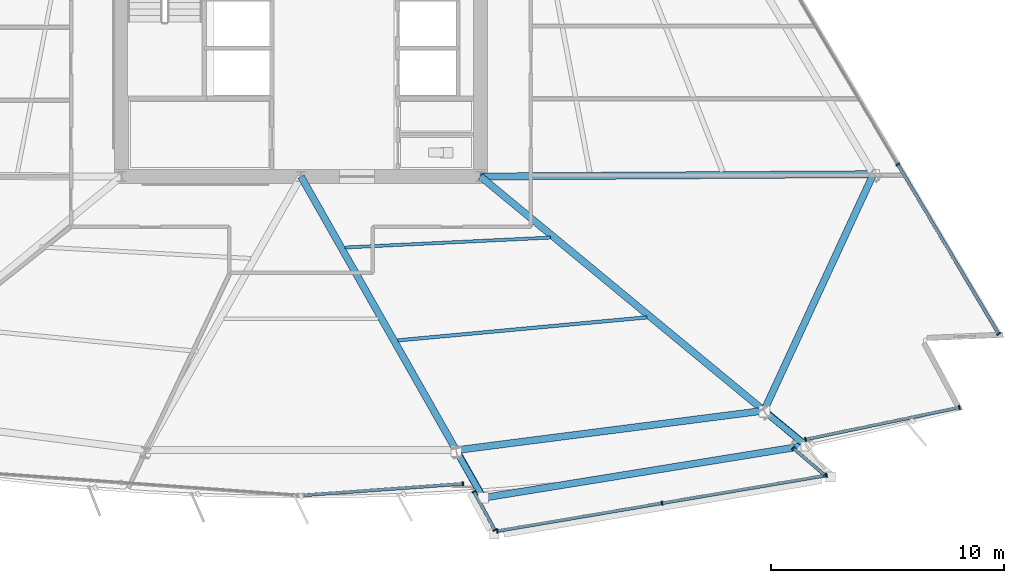
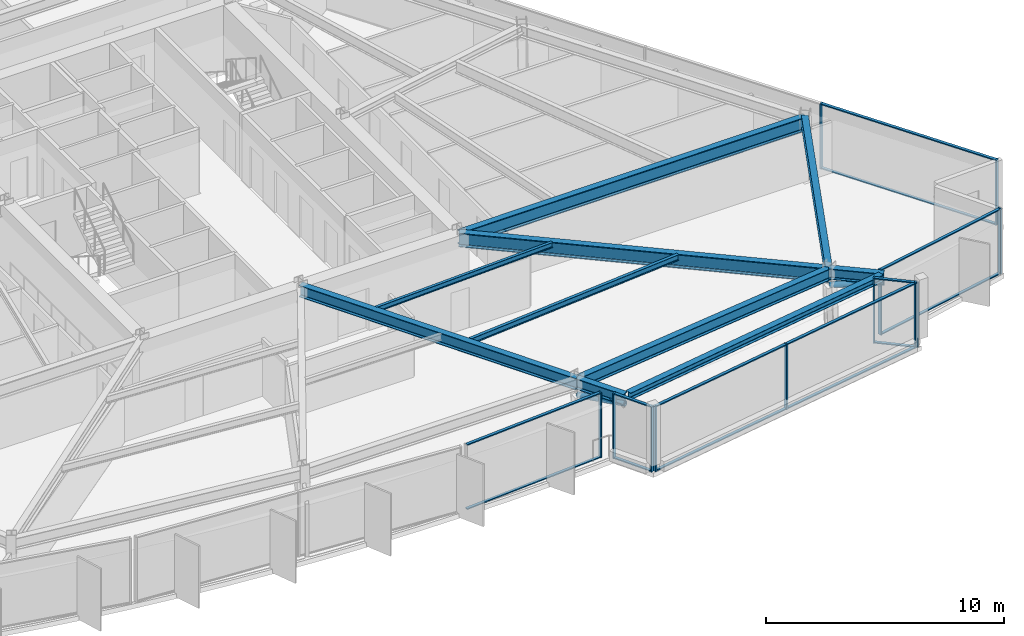
# One storey, part 5 of 18: 28 members, 10 beams, 6 elements without a shape of their own.
"""IFC4 building model written with IfcOpenShell, lengths in metres."""

from ifc_helpers import new_model, si_unit, direction, frame, origin, origin_2d, place, context, subcontext, project, spatial, rectangle, hollow_circle, i_section, extrude, material, material_profile, profile_set, type_object, element, aggregate, save


model = new_model("IFC4")

# Units and contexts
model_context = context("Model", 3, precision=1e-05, world=origin(), true_north=direction((0.0, 1.0)))
body_context = subcontext(model_context, "Body", "Model", "MODEL_VIEW")
ifc_project = project(units=[si_unit("LENGTHUNIT", "METRE"), si_unit("AREAUNIT", "SQUARE_METRE"), si_unit("VOLUMEUNIT", "CUBIC_METRE"), si_unit("PLANEANGLEUNIT", "RADIAN"), si_unit("MASSUNIT", "GRAM", prefix="KILO")], contexts=[model_context])

# Site, building, storey
site_placement = place(None, origin())
site = spatial("IfcSite", under=ifc_project, at=site_placement, CompositionType="ELEMENT")
building_placement = place(site_placement, origin())
building = spatial("IfcBuilding", under=site, at=building_placement, Name="Savorim Split Tower", CompositionType="ELEMENT")
storey_placement = place(building_placement, frame((0.0, 0.0, 48.0)))
storey = spatial("IfcBuildingStorey", under=building, at=storey_placement, Name="L12", CompositionType="ELEMENT", Elevation=48.0)

# Beams
ifc_material_1 = material(Name="Steel S355", Category="steel")
ifc_material_profile_1 = material_profile(ifc_material_1, i_section(OverallWidth=0.135009765625, OverallDepth=0.27001953125, WebThickness=0.006591796875, FlangeThickness=0.01025390625, FilletRadius=0.014892578125, at=origin_2d()), Name="IPE 270")
ifc_profile_set_1 = profile_set([ifc_material_profile_1], Name="Steel S355")
beam_type_1 = type_object("IfcBeamType", Name="BM-JST-IPE270", PredefinedType="JOIST", material=ifc_profile_set_1)
beam_1_placement = place(storey_placement, frame((1.890625, -12.4453125, 3.215087890625), z_axis=(0.998836109926, 0.048233033373, 0.0), x_axis=(-0.048233033373, 0.998836109926, 0.0)))
element("IfcBeam", 1, at=beam_1_placement, inside=storey, type_object=beam_type_1, Name="L12 Secondary Floor Joist JS-05", PredefinedType="JOIST", context=body_context, shape_type="SweptSolid", body=[
    extrude(i_section(OverallWidth=0.135009765625, OverallDepth=0.27001953125, WebThickness=0.006591796875, FlangeThickness=0.01025390625, FilletRadius=0.014892578125, at=origin_2d()), origin(), (0.0, 0.0, 1.0), 8.822509765625),
])
ifc_material_profile_2 = material_profile(ifc_material_1, i_section(OverallWidth=0.14990234375, OverallDepth=0.300048828125, WebThickness=0.007080078125, FlangeThickness=0.0107421875, FilletRadius=0.014892578125, at=origin_2d()), Name="IPE 300")
ifc_profile_set_2 = profile_set([ifc_material_profile_2], Name="Steel S355")
beam_type_2 = type_object("IfcBeamType", Name="BM-JST-IPE300", PredefinedType="JOIST", material=ifc_profile_set_2)
beam_2_placement = place(storey_placement, frame((4.15380859375, -16.430419921875, 3.199951171875), z_axis=(0.995752154101, 0.09207414188, 0.0), x_axis=(-0.09207414188, 0.995752154101, 0.0)))
element("IfcBeam", 2, at=beam_2_placement, inside=storey, type_object=beam_type_2, Name="L12 Secondary Floor Joist JS-04", PredefinedType="JOIST", context=body_context, shape_type="SweptSolid", body=[
    extrude(i_section(OverallWidth=0.14990234375, OverallDepth=0.300048828125, WebThickness=0.007080078125, FlangeThickness=0.0107421875, FilletRadius=0.014892578125, at=origin_2d()), origin(), (0.0, 0.0, 1.0), 10.73095703125),
])
ifc_material_profile_3 = material_profile(ifc_material_1, i_section(OverallWidth=0.300048828125, OverallDepth=0.550048828125, WebThickness=0.014892578125, FlangeThickness=0.029052734375, FilletRadius=0.027099609375, at=origin_2d()), Name="HEB 550")
ifc_profile_set_3 = profile_set([ifc_material_profile_3], Name="Steel S355")
beam_type_3 = type_object("IfcBeamType", Name="BM-PRI-HEB550", PredefinedType="BEAM", material=ifc_profile_set_3)
beam_3_placement = place(storey_placement, frame((6.657470703125, -21.141845703125, 3.074951171875), z_axis=(0.493193439661, -0.869919669323, 0.0), x_axis=(0.869919669323, 0.493193439661, 0.0)))
element("IfcBeam", 3, at=beam_3_placement, inside=storey, type_object=beam_type_3, Name="L12 Cantilevered Lounge Rib 1", PredefinedType="BEAM", context=body_context, shape_type="SweptSolid", body=[
    extrude(i_section(OverallWidth=0.300048828125, OverallDepth=0.550048828125, WebThickness=0.014892578125, FlangeThickness=0.029052734375, FilletRadius=0.027099609375, at=origin_2d()), origin(), (0.0, 0.0, 1.0), 2.349853515625),
])
beam_4_placement = place(storey_placement, frame((19.86376953125, -19.4462890625, 3.074951171875), z_axis=(0.771074851644, -0.636744511685, 0.0), x_axis=(0.636744511685, 0.771074851644, 0.0)))
element("IfcBeam", 4, at=beam_4_placement, inside=storey, type_object=beam_type_3, Name="L12 Cantilevered Lounge Rib 2", PredefinedType="BEAM", context=body_context, shape_type="SweptSolid", body=[
    extrude(i_section(OverallWidth=0.300048828125, OverallDepth=0.550048828125, WebThickness=0.014892578125, FlangeThickness=0.029052734375, FilletRadius=0.027099609375, at=origin_2d()), origin(), (0.0, 0.0, 1.0), 2.35009765625),
])
ifc_material_profile_4 = material_profile(ifc_material_1, i_section(OverallWidth=0.300048828125, OverallDepth=0.60009765625, WebThickness=0.015380859375, FlangeThickness=0.030029296875, FilletRadius=0.027099609375, at=origin_2d()), Name="HEB 600")
ifc_profile_set_4 = profile_set([ifc_material_profile_4], Name="Steel S355")
beam_type_4 = type_object("IfcBeamType", Name="BM-PRI-HEB600", PredefinedType="BEAM", material=ifc_profile_set_4)
beam_5_placement = place(storey_placement, frame((6.657470703125, -21.141845703125, 3.050048828125), z_axis=(-0.493220203401, 0.869904495308, 0.0), x_axis=(-0.869904495308, -0.493220203401, 0.0)))
element("IfcBeam", 5, at=beam_5_placement, inside=storey, type_object=beam_type_4, Name="L12 Primary Floor Girder RG-03", PredefinedType="BEAM", context=body_context, shape_type="SweptSolid", body=[
    extrude(i_section(OverallWidth=0.300048828125, OverallDepth=0.60009765625, WebThickness=0.015380859375, FlangeThickness=0.030029296875, FilletRadius=0.027099609375, at=origin_2d()), origin(), (0.0, 0.0, 1.0), 13.498046875),
])
ifc_material_2 = material(Name="Steel S460", Category="steel")
ifc_material_profile_5 = material_profile(ifc_material_2, i_section(OverallWidth=0.303955078125, OverallDepth=0.716064453125, WebThickness=0.02099609375, FlangeThickness=0.0400390625, FilletRadius=0.027099609375, at=origin_2d()), Name="HE 700 M")
ifc_profile_set_5 = profile_set([ifc_material_profile_5], Name="Steel S460")
beam_type_5 = type_object("IfcBeamType", Name="BM-PRI-HEM700", PredefinedType="BEAM", material=ifc_profile_set_5)
beam_6_placement = place(storey_placement, frame((19.86376953125, -19.4462890625, 2.991943359375), z_axis=(-0.771023527296, 0.636806658536, 0.0), x_axis=(-0.636806658536, -0.771023527296, 0.0)))
element("IfcBeam", 6, at=beam_6_placement, inside=storey, type_object=beam_type_5, Name="L12 Primary Floor Girder RG-04", PredefinedType="BEAM", context=body_context, shape_type="SweptSolid", body=[
    extrude(i_section(OverallWidth=0.303955078125, OverallDepth=0.716064453125, WebThickness=0.02099609375, FlangeThickness=0.0400390625, FilletRadius=0.027099609375, at=origin_2d()), origin(), (0.0, 0.0, 1.0), 15.776123046875),
])
beam_7_placement = place(storey_placement, frame((24.554931640625, -9.300048828125, 2.991943359375), z_axis=(-0.999982451953, -0.005924169629, 0.0), x_axis=(0.005924169629, -0.999982451953, 0.0)))
element("IfcBeam", 7, at=beam_7_placement, inside=storey, type_object=beam_type_5, Name="L12 Primary Floor Girder RG-05", PredefinedType="BEAM", context=body_context, shape_type="SweptSolid", body=[
    extrude(i_section(OverallWidth=0.303955078125, OverallDepth=0.716064453125, WebThickness=0.02099609375, FlangeThickness=0.0400390625, FilletRadius=0.027099609375, at=origin_2d()), origin(), (0.0, 0.0, 1.0), 16.855224609375),
])
ifc_material_profile_6 = material_profile(ifc_material_1, i_section(OverallWidth=0.300048828125, OverallDepth=0.35009765625, WebThickness=0.010009765625, FlangeThickness=0.017578125, FilletRadius=0.027099609375, at=origin_2d()), Name="HEA 360")
ifc_profile_set_6 = profile_set([ifc_material_profile_6], Name="Steel S355")
beam_type_6 = type_object("IfcBeamType", Name="BM-SPN-HEA360", PredefinedType="SPANDREL", material=ifc_profile_set_6)
beam_8_placement = place(storey_placement, frame((7.974365234375, -23.160400390625, 3.175048828125), z_axis=(0.987152626086, 0.159780138977, 0.0), x_axis=(-0.159780138977, 0.987152626086, 0.0)))
element("IfcBeam", 8, at=beam_8_placement, inside=storey, type_object=beam_type_6, Name="L12 Cantilevered Lounge Front Edge Beam", PredefinedType="SPANDREL", context=body_context, shape_type="SweptSolid", body=[
    extrude(i_section(OverallWidth=0.300048828125, OverallDepth=0.35009765625, WebThickness=0.010009765625, FlangeThickness=0.017578125, FilletRadius=0.027099609375, at=origin_2d()), origin(), (0.0, 0.0, 1.0), 13.7197265625),
])
ifc_material_profile_7 = material_profile(ifc_material_1, i_section(OverallWidth=0.300048828125, OverallDepth=0.590087890625, WebThickness=0.012939453125, FlangeThickness=0.02490234375, FilletRadius=0.027099609375, at=origin_2d()), Name="HEA 600")
ifc_profile_set_7 = profile_set([ifc_material_profile_7], Name="Steel S355")
beam_type_7 = type_object("IfcBeamType", Name="BM-SPN-HEA600", PredefinedType="SPANDREL", material=ifc_profile_set_7)
beam_9_placement = place(storey_placement, frame((6.657470703125, -21.141845703125, 3.054931640625), z_axis=(0.99185852051, 0.127344710498, 0.0), x_axis=(-0.127344710498, 0.99185852051, 0.0)))
element("IfcBeam", 9, at=beam_9_placement, inside=storey, type_object=beam_type_7, Name="L12 Perimeter Spandrel Beam 3", PredefinedType="SPANDREL", context=body_context, shape_type="SweptSolid", body=[
    extrude(i_section(OverallWidth=0.300048828125, OverallDepth=0.590087890625, WebThickness=0.012939453125, FlangeThickness=0.02490234375, FilletRadius=0.027099609375, at=origin_2d()), origin(), (0.0, 0.0, 1.0), 13.314697265625),
])
beam_10_placement = place(storey_placement, frame((19.86376953125, -19.4462890625, 3.054931640625), z_axis=(0.419668876208, 0.907677274334, 0.0), x_axis=(-0.907677274334, 0.419668876208, 0.0)))
element("IfcBeam", 10, at=beam_10_placement, inside=storey, type_object=beam_type_7, Name="L12 Perimeter Spandrel Beam 4", PredefinedType="SPANDREL", context=body_context, shape_type="SweptSolid", body=[
    extrude(i_section(OverallWidth=0.300048828125, OverallDepth=0.590087890625, WebThickness=0.012939453125, FlangeThickness=0.02490234375, FilletRadius=0.027099609375, at=origin_2d()), origin(), (0.0, 0.0, 1.0), 11.17822265625),
])

# Curtain wall, member
ifc_material_3 = material(Name="Dark Ceramic-Fritted Insulated Glass", Category="glass")
curtain_wall_type_1 = type_object("IfcCurtainWallType", Name="CW-TWR-FRIT-A", PredefinedType="NOTDEFINED", material=ifc_material_3)
curtain_wall_1_placement = place(storey_placement, origin())
curtain_wall_1 = element("IfcCurtainWall", 11, at=curtain_wall_1_placement, inside=storey, type_object=curtain_wall_type_1, Name="L12 Curtain Wall CW-L12-SF3A", PredefinedType="NOTDEFINED")
ifc_material_4 = material(Name="Charcoal Anodised Aluminium", Category="aluminium")
ifc_material_profile_8 = material_profile(ifc_material_4, rectangle(XDim=0.179931640625, YDim=0.06494140625, at=origin_2d()), Name="ALU-M 180x65")
ifc_profile_set_8 = profile_set([ifc_material_profile_8], Name="Charcoal Anodised Aluminium")
member_type_1 = type_object("IfcMemberType", Name="CWM-180x65", PredefinedType="MULLION", material=ifc_profile_set_8)
member_1_placement = place(storey_placement, frame((6.946044921875, -22.581298828125, 0.0), z_axis=(0.0, 0.0, 1.0), x_axis=(-0.071571242627, 0.997435490259, 0.0)))
member_1 = element("IfcMember", 12, at=member_1_placement, type_object=member_type_1, Name="CW-02 mullion 2", PredefinedType="MULLION", context=body_context, shape_type="SweptSolid", body=[
    extrude(rectangle(XDim=0.179931640625, YDim=0.06494140625, at=origin_2d()), origin(), (0.0, 0.0, 1.0), 3.35009765625),
])

# Curtain wall, members
curtain_wall_2_placement = place(storey_placement, origin())
curtain_wall_2 = element("IfcCurtainWall", 13, at=curtain_wall_2_placement, inside=storey, type_object=curtain_wall_type_1, Name="L12 Curtain Wall CW-L12-SF4A", PredefinedType="NOTDEFINED")
member_2_placement = place(storey_placement, frame((21.64599609375, -20.67919921875, 0.0), z_axis=(0.0, 0.0, 1.0), x_axis=(-0.203217785816, 0.979133561639, 0.0)))
member_2 = element("IfcMember", 14, at=member_2_placement, type_object=member_type_1, Name="CW-02 mullion 1", PredefinedType="MULLION", context=body_context, shape_type="SweptSolid", body=[
    extrude(rectangle(XDim=0.179931640625, YDim=0.06494140625, at=origin_2d()), origin(), (0.0, 0.0, 1.0), 3.35009765625),
])
member_3_placement = place(storey_placement, frame((28.245849609375, -19.309326171875, 0.0), z_axis=(0.0, 0.0, 1.0), x_axis=(-0.203217785816, 0.979133561639, 0.0)))
member_3 = element("IfcMember", 15, at=member_3_placement, type_object=member_type_1, Name="CW-02 mullion 2", PredefinedType="MULLION", context=body_context, shape_type="SweptSolid", body=[
    extrude(rectangle(XDim=0.179931640625, YDim=0.06494140625, at=origin_2d()), origin(), (0.0, 0.0, 1.0), 3.35009765625),
])

curtain_wall_type_2 = type_object("IfcCurtainWallType", Name="CW-BAY-LOUNGE", PredefinedType="NOTDEFINED", material=ifc_material_3)
curtain_wall_3_placement = place(storey_placement, origin())
curtain_wall_3 = element("IfcCurtainWall", 16, at=curtain_wall_3_placement, inside=storey, type_object=curtain_wall_type_2, Name="L12 Curtain Wall CW-L12-BAYF", PredefinedType="NOTDEFINED")
member_4_placement = place(storey_placement, frame((8.426025390625, -24.608154296875, 0.0), z_axis=(0.0, 0.0, 1.0), x_axis=(-0.166856952162, 0.985981114178, 0.0)))
member_4 = element("IfcMember", 17, at=member_4_placement, type_object=member_type_1, Name="CW-04 mullion 1", PredefinedType="MULLION", context=body_context, shape_type="SweptSolid", body=[
    extrude(rectangle(XDim=0.179931640625, YDim=0.06494140625, at=origin_2d()), origin(), (0.0, 0.0, 1.0), 3.35009765625),
])
member_5_placement = place(storey_placement, frame((15.486083984375, -23.413330078125, 0.0), z_axis=(0.0, 0.0, 1.0), x_axis=(-0.166856952162, 0.985981114178, 0.0)))
member_5 = element("IfcMember", 18, at=member_5_placement, type_object=member_type_1, Name="CW-04 mullion 2", PredefinedType="MULLION", context=body_context, shape_type="SweptSolid", body=[
    extrude(rectangle(XDim=0.179931640625, YDim=0.06494140625, at=origin_2d()), origin(), (0.0, 0.0, 1.0), 3.35009765625),
])
member_6_placement = place(storey_placement, frame((22.546142578125, -22.218505859375, 0.0), z_axis=(0.0, 0.0, 1.0), x_axis=(-0.166856952162, 0.985981114178, 0.0)))
member_6 = element("IfcMember", 19, at=member_6_placement, type_object=member_type_1, Name="CW-04 mullion 3", PredefinedType="MULLION", context=body_context, shape_type="SweptSolid", body=[
    extrude(rectangle(XDim=0.179931640625, YDim=0.06494140625, at=origin_2d()), origin(), (0.0, 0.0, 1.0), 3.35009765625),
])

curtain_wall_4_placement = place(storey_placement, origin())
curtain_wall_4 = element("IfcCurtainWall", 20, at=curtain_wall_4_placement, inside=storey, type_object=curtain_wall_type_2, Name="L12 Curtain Wall CW-L12-BAYW", PredefinedType="NOTDEFINED")
member_7_placement = place(storey_placement, frame((7.425048828125, -22.918701171875, 0.0), z_axis=(0.0, 0.0, 1.0), x_axis=(0.879584109492, 0.475743412281, 0.0)))
member_7 = element("IfcMember", 21, at=member_7_placement, type_object=member_type_1, Name="CW-04 mullion 1", PredefinedType="MULLION", context=body_context, shape_type="SweptSolid", body=[
    extrude(rectangle(XDim=0.179931640625, YDim=0.06494140625, at=origin_2d()), origin(), (0.0, 0.0, 1.0), 3.35009765625),
])
member_8_placement = place(storey_placement, frame((8.317138671875, -24.568115234375, 0.0), z_axis=(0.0, 0.0, 1.0), x_axis=(0.879584109492, 0.475743412281, 0.0)))
member_8 = element("IfcMember", 22, at=member_8_placement, type_object=member_type_1, Name="CW-04 mullion 2", PredefinedType="MULLION", context=body_context, shape_type="SweptSolid", body=[
    extrude(rectangle(XDim=0.179931640625, YDim=0.06494140625, at=origin_2d()), origin(), (0.0, 0.0, 1.0), 3.35009765625),
])

curtain_wall_5_placement = place(storey_placement, origin())
curtain_wall_5 = element("IfcCurtainWall", 23, at=curtain_wall_5_placement, inside=storey, type_object=curtain_wall_type_2, Name="L12 Curtain Wall CW-L12-BAYE", PredefinedType="NOTDEFINED")
member_9_placement = place(storey_placement, frame((22.4677734375, -22.212890625, 0.0), z_axis=(0.0, 0.0, 1.0), x_axis=(-0.651446366568, -0.758694689243, 0.0)))
member_9 = element("IfcMember", 24, at=member_9_placement, type_object=member_type_1, Name="CW-04 mullion 1", PredefinedType="MULLION", context=body_context, shape_type="SweptSolid", body=[
    extrude(rectangle(XDim=0.179931640625, YDim=0.06494140625, at=origin_2d()), origin(), (0.0, 0.0, 1.0), 3.35009765625),
])
member_10_placement = place(storey_placement, frame((21.125, -21.059814453125, 0.0), z_axis=(0.0, 0.0, 1.0), x_axis=(-0.651446366568, -0.758694689243, 0.0)))
member_10 = element("IfcMember", 25, at=member_10_placement, type_object=member_type_1, Name="CW-04 mullion 2", PredefinedType="MULLION", context=body_context, shape_type="SweptSolid", body=[
    extrude(rectangle(XDim=0.179931640625, YDim=0.06494140625, at=origin_2d()), origin(), (0.0, 0.0, 1.0), 3.35009765625),
])

curtain_wall_6_placement = place(storey_placement, origin())
curtain_wall_6 = element("IfcCurtainWall", 26, at=curtain_wall_6_placement, inside=storey, type_object=curtain_wall_type_1, Name="L12 Curtain Wall CW-L12-EAST", PredefinedType="NOTDEFINED")
member_11_placement = place(storey_placement, frame((29.927978515625, -16.14990234375, 0.0), z_axis=(0.0, 0.0, 1.0), x_axis=(-0.859525752007, -0.511092439425, 0.0)))
member_11 = element("IfcMember", 27, at=member_11_placement, type_object=member_type_1, Name="CW-02 mullion 1", PredefinedType="MULLION", context=body_context, shape_type="SweptSolid", body=[
    extrude(rectangle(XDim=0.179931640625, YDim=0.06494140625, at=origin_2d()), origin(), (0.0, 0.0, 1.0), 3.35009765625),
])
member_12_placement = place(storey_placement, frame((25.604248046875, -8.878662109375, 0.0), z_axis=(0.0, 0.0, 1.0), x_axis=(-0.859525752007, -0.511092439425, 0.0)))
member_12 = element("IfcMember", 28, at=member_12_placement, type_object=member_type_1, Name="CW-02 mullion 2", PredefinedType="MULLION", context=body_context, shape_type="SweptSolid", body=[
    extrude(rectangle(XDim=0.179931640625, YDim=0.06494140625, at=origin_2d()), origin(), (0.0, 0.0, 1.0), 3.35009765625),
])

# Member
ifc_material_profile_9 = material_profile(ifc_material_4, rectangle(XDim=0.139892578125, YDim=0.054931640625, at=origin_2d()), Name="ALU-T 140x55")
ifc_profile_set_9 = profile_set([ifc_material_profile_9], Name="Charcoal Anodised Aluminium")
member_type_2 = type_object("IfcMemberType", Name="CWT-140x55", PredefinedType="USERDEFINED", material=ifc_profile_set_9)
member_13_placement = place(storey_placement, frame((0.156005859375, -23.068603515625, 0.027587890625), z_axis=(0.997435783088, 0.071567161574, 0.0), x_axis=(-0.071567161574, 0.997435783088, 0.0)))
member_13 = element("IfcMember", 29, at=member_13_placement, type_object=member_type_2, Name="CW-02 transom 1.1", ObjectType="TRANSOM", PredefinedType="USERDEFINED", context=body_context, shape_type="SweptSolid", body=[
    extrude(rectangle(XDim=0.139892578125, YDim=0.054931640625, at=origin_2d()), origin(), (0.0, 0.0, 1.0), 6.77490234375),
])

member_14_placement = place(storey_placement, frame((0.156005859375, -23.068603515625, 3.322509765625), z_axis=(0.997435783088, 0.071567161574, 0.0), x_axis=(-0.071567161574, 0.997435783088, 0.0)))
member_14 = element("IfcMember", 30, at=member_14_placement, type_object=member_type_2, Name="CW-02 transom 1.2", ObjectType="TRANSOM", PredefinedType="USERDEFINED", context=body_context, shape_type="SweptSolid", body=[
    extrude(rectangle(XDim=0.139892578125, YDim=0.054931640625, at=origin_2d()), origin(), (0.0, 0.0, 1.0), 6.77490234375),
])

aggregate(curtain_wall_1, [member_1, member_13, member_14])

member_15_placement = place(storey_placement, frame((21.677734375, -20.672607421875, 0.027587890625), z_axis=(0.979131366003, 0.20322836443, 0.0), x_axis=(-0.20322836443, 0.979131366003, 0.0)))
member_15 = element("IfcMember", 31, at=member_15_placement, type_object=member_type_2, Name="CW-02 transom 1.1", ObjectType="TRANSOM", PredefinedType="USERDEFINED", context=body_context, shape_type="SweptSolid", body=[
    extrude(rectangle(XDim=0.139892578125, YDim=0.054931640625, at=origin_2d()), origin(), (0.0, 0.0, 1.0), 6.67578125),
])

member_16_placement = place(storey_placement, frame((21.677734375, -20.672607421875, 3.322509765625), z_axis=(0.979131366003, 0.20322836443, 0.0), x_axis=(-0.20322836443, 0.979131366003, 0.0)))
member_16 = element("IfcMember", 32, at=member_16_placement, type_object=member_type_2, Name="CW-02 transom 1.2", ObjectType="TRANSOM", PredefinedType="USERDEFINED", context=body_context, shape_type="SweptSolid", body=[
    extrude(rectangle(XDim=0.139892578125, YDim=0.054931640625, at=origin_2d()), origin(), (0.0, 0.0, 1.0), 6.67578125),
])

aggregate(curtain_wall_2, [member_2, member_3, member_15, member_16])

member_17_placement = place(storey_placement, frame((8.4580078125, -24.602783203125, 0.027587890625), z_axis=(0.985977924336, 0.166875800287, 0.0), x_axis=(-0.166875800287, 0.985977924336, 0.0)))
member_17 = element("IfcMember", 33, at=member_17_placement, type_object=member_type_2, Name="CW-04 transom 1.1", ObjectType="TRANSOM", PredefinedType="USERDEFINED", context=body_context, shape_type="SweptSolid", body=[
    extrude(rectangle(XDim=0.139892578125, YDim=0.054931640625, at=origin_2d()), origin(), (0.0, 0.0, 1.0), 7.095703125),
])

member_18_placement = place(storey_placement, frame((8.4580078125, -24.602783203125, 3.322509765625), z_axis=(0.985977924336, 0.166875800287, 0.0), x_axis=(-0.166875800287, 0.985977924336, 0.0)))
member_18 = element("IfcMember", 34, at=member_18_placement, type_object=member_type_2, Name="CW-04 transom 1.2", ObjectType="TRANSOM", PredefinedType="USERDEFINED", context=body_context, shape_type="SweptSolid", body=[
    extrude(rectangle(XDim=0.139892578125, YDim=0.054931640625, at=origin_2d()), origin(), (0.0, 0.0, 1.0), 7.095703125),
])

member_19_placement = place(storey_placement, frame((15.51806640625, -23.407958984375, 0.027587890625), z_axis=(0.985983585049, 0.166842350778, 0.0), x_axis=(-0.166842350778, 0.985983585049, 0.0)))
member_19 = element("IfcMember", 35, at=member_19_placement, type_object=member_type_2, Name="CW-04 transom 2.1", ObjectType="TRANSOM", PredefinedType="USERDEFINED", context=body_context, shape_type="SweptSolid", body=[
    extrude(rectangle(XDim=0.139892578125, YDim=0.054931640625, at=origin_2d()), origin(), (0.0, 0.0, 1.0), 7.095458984375),
])

member_20_placement = place(storey_placement, frame((15.51806640625, -23.407958984375, 3.322509765625), z_axis=(0.985983585049, 0.166842350778, 0.0), x_axis=(-0.166842350778, 0.985983585049, 0.0)))
member_20 = element("IfcMember", 36, at=member_20_placement, type_object=member_type_2, Name="CW-04 transom 2.2", ObjectType="TRANSOM", PredefinedType="USERDEFINED", context=body_context, shape_type="SweptSolid", body=[
    extrude(rectangle(XDim=0.139892578125, YDim=0.054931640625, at=origin_2d()), origin(), (0.0, 0.0, 1.0), 7.095458984375),
])

aggregate(curtain_wall_3, [member_4, member_5, member_6, member_17, member_18, member_19, member_20])

member_21_placement = place(storey_placement, frame((7.440673828125, -22.947265625, 0.027587890625), z_axis=(0.475683458492, -0.879616534245, 0.0), x_axis=(0.879616534245, 0.475683458492, 0.0)))
member_21 = element("IfcMember", 37, at=member_21_placement, type_object=member_type_2, Name="CW-04 transom 1.1", ObjectType="TRANSOM", PredefinedType="USERDEFINED", context=body_context, shape_type="SweptSolid", body=[
    extrude(rectangle(XDim=0.139892578125, YDim=0.054931640625, at=origin_2d()), origin(), (0.0, 0.0, 1.0), 1.810302734375),
])

member_22_placement = place(storey_placement, frame((7.440673828125, -22.947265625, 3.322509765625), z_axis=(0.475683458492, -0.879616534245, 0.0), x_axis=(0.879616534245, 0.475683458492, 0.0)))
member_22 = element("IfcMember", 38, at=member_22_placement, type_object=member_type_2, Name="CW-04 transom 1.2", ObjectType="TRANSOM", PredefinedType="USERDEFINED", context=body_context, shape_type="SweptSolid", body=[
    extrude(rectangle(XDim=0.139892578125, YDim=0.054931640625, at=origin_2d()), origin(), (0.0, 0.0, 1.0), 1.810302734375),
])

aggregate(curtain_wall_4, [member_7, member_8, member_21, member_22])

member_23_placement = place(storey_placement, frame((22.443115234375, -22.191650390625, 0.027587890625), z_axis=(-0.758700352755, 0.651439770608, 0.0), x_axis=(-0.651439770608, -0.758700352755, 0.0)))
member_23 = element("IfcMember", 39, at=member_23_placement, type_object=member_type_2, Name="CW-04 transom 1.1", ObjectType="TRANSOM", PredefinedType="USERDEFINED", context=body_context, shape_type="SweptSolid", body=[
    extrude(rectangle(XDim=0.139892578125, YDim=0.054931640625, at=origin_2d()), origin(), (0.0, 0.0, 1.0), 1.704833984375),
])

member_24_placement = place(storey_placement, frame((22.443115234375, -22.191650390625, 3.322509765625), z_axis=(-0.758700352755, 0.651439770608, 0.0), x_axis=(-0.651439770608, -0.758700352755, 0.0)))
member_24 = element("IfcMember", 40, at=member_24_placement, type_object=member_type_2, Name="CW-04 transom 1.2", ObjectType="TRANSOM", PredefinedType="USERDEFINED", context=body_context, shape_type="SweptSolid", body=[
    extrude(rectangle(XDim=0.139892578125, YDim=0.054931640625, at=origin_2d()), origin(), (0.0, 0.0, 1.0), 1.704833984375),
])

aggregate(curtain_wall_5, [member_9, member_10, member_23, member_24])

member_25_placement = place(storey_placement, frame((29.911376953125, -16.1220703125, 0.027587890625), z_axis=(-0.511091652485, 0.859526219938, 0.0), x_axis=(-0.859526219938, -0.511091652485, 0.0)))
member_25 = element("IfcMember", 41, at=member_25_placement, type_object=member_type_2, Name="CW-02 transom 1.1", ObjectType="TRANSOM", PredefinedType="USERDEFINED", context=body_context, shape_type="SweptSolid", body=[
    extrude(rectangle(XDim=0.139892578125, YDim=0.054931640625, at=origin_2d()), origin(), (0.0, 0.0, 1.0), 8.394775390625),
])

member_26_placement = place(storey_placement, frame((29.911376953125, -16.1220703125, 3.322509765625), z_axis=(-0.511091652485, 0.859526219938, 0.0), x_axis=(-0.859526219938, -0.511091652485, 0.0)))
member_26 = element("IfcMember", 42, at=member_26_placement, type_object=member_type_2, Name="CW-02 transom 1.2", ObjectType="TRANSOM", PredefinedType="USERDEFINED", context=body_context, shape_type="SweptSolid", body=[
    extrude(rectangle(XDim=0.139892578125, YDim=0.054931640625, at=origin_2d()), origin(), (0.0, 0.0, 1.0), 8.394775390625),
])

aggregate(curtain_wall_6, [member_11, member_12, member_25, member_26])

# Members
ifc_material_profile_10 = material_profile(ifc_material_1, hollow_circle(Radius=0.136474609375, WallThickness=0.01611328125, at=origin_2d()), Name="CHS 273x16")
ifc_profile_set_10 = profile_set([ifc_material_profile_10], Name="Steel S355")
member_type_3 = type_object("IfcMemberType", Name="MBR-CRN-CHS273", PredefinedType="BRACE", material=ifc_profile_set_10)
member_27_placement = place(storey_placement, frame((6.665283203125, -21.18212890625, 2.449951171875), z_axis=(0.49183811465, -0.85620514211, 0.15813925383), x_axis=(0.867116221617, 0.498105870483, 0.0)))
element("IfcMember", 43, at=member_27_placement, inside=storey, type_object=member_type_3, Name="L12 Cantilevered Bay Support Strut 1", PredefinedType="BRACE", context=body_context, shape_type="SweptSolid", body=[
    extrude(hollow_circle(Radius=0.136474609375, WallThickness=0.01611328125, at=origin_2d()), origin(), (0.0, 0.0, 1.0), 2.34033203125),
])
member_28_placement = place(storey_placement, frame((19.887451171875, -19.484619140625, 2.449951171875), z_axis=(0.765271693164, -0.623918437075, 0.158382510148), x_axis=(0.631894314112, 0.775054563107, 0.0)))
element("IfcMember", 44, at=member_28_placement, inside=storey, type_object=member_type_3, Name="L12 Cantilevered Bay Support Strut 2", PredefinedType="BRACE", context=body_context, shape_type="SweptSolid", body=[
    extrude(hollow_circle(Radius=0.136474609375, WallThickness=0.01611328125, at=origin_2d()), origin(), (0.0, 0.0, 1.0), 2.3369140625),
])

save(model, "model.ifc")
